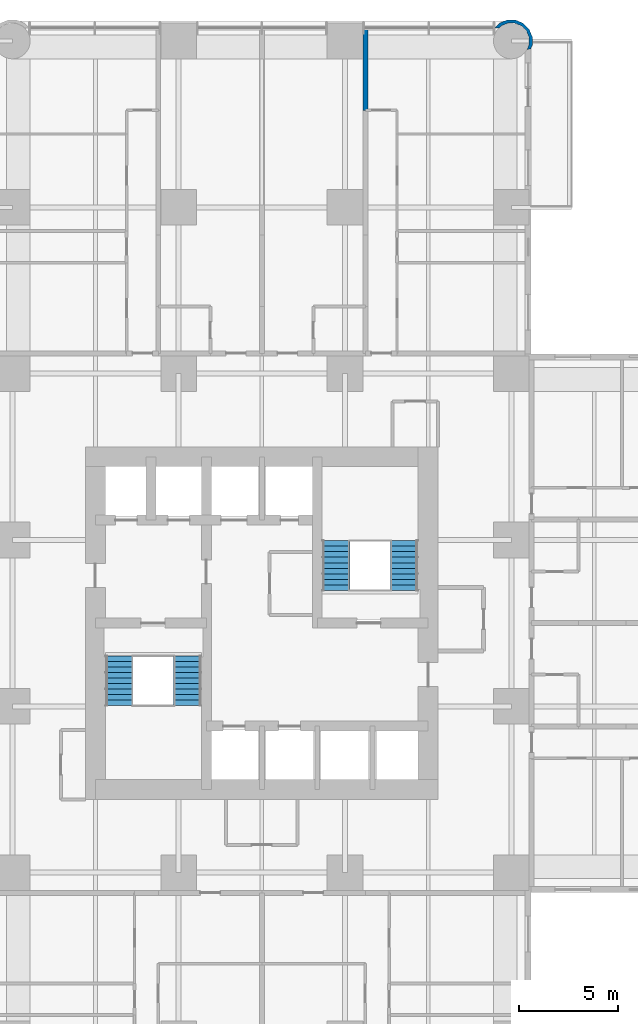
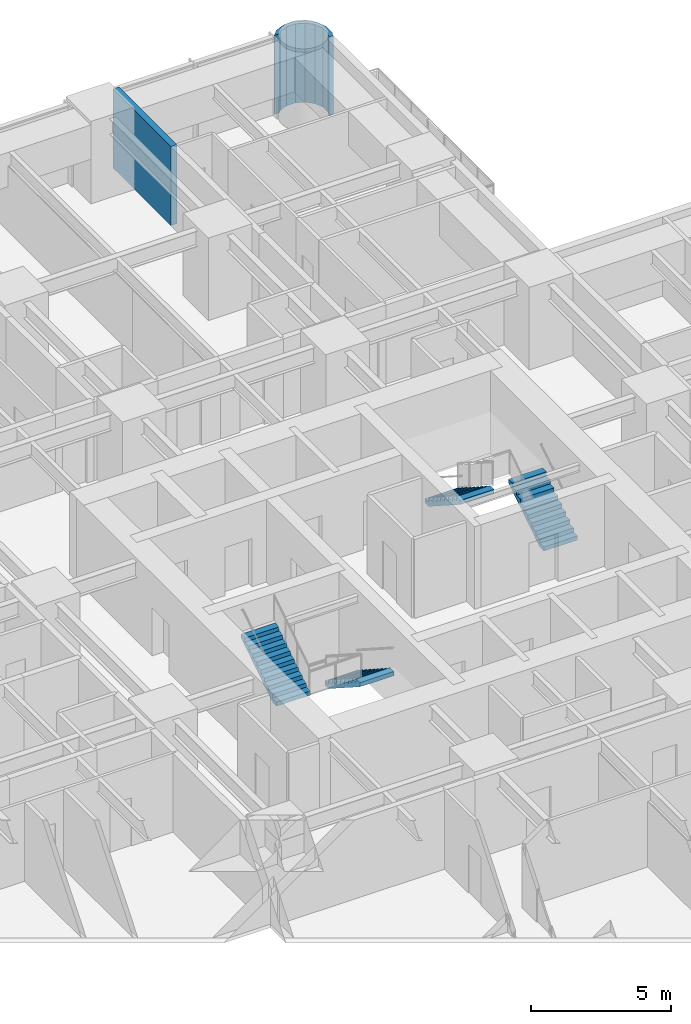
# One storey, part 15 of 17: 4 stair flights, 2 walls, 2 elements without a shape of their own.
"""IFC4 building model written with IfcOpenShell, lengths in metres."""

from ifc_helpers import new_model, si_unit, direction, frame, frame_2d, origin, place, context, subcontext, project, spatial, polyline, rectangle, outline, extrude, material, layer, layer_set, type_object, element, aggregate, save


model = new_model("IFC4")

# Units and contexts
model_context = context("Model", 3, precision=1e-05, world=origin(), true_north=direction((0.0, 1.0)))
body_context = subcontext(model_context, "Body", "Model", "MODEL_VIEW")
ifc_project = project(units=[si_unit("LENGTHUNIT", "METRE"), si_unit("AREAUNIT", "SQUARE_METRE"), si_unit("VOLUMEUNIT", "CUBIC_METRE"), si_unit("PLANEANGLEUNIT", "RADIAN"), si_unit("MASSUNIT", "GRAM", prefix="KILO")], contexts=[model_context])

# Site, building, storey
site_placement = place(None, origin())
site = spatial("IfcSite", under=ifc_project, at=site_placement, CompositionType="ELEMENT")
building_placement = place(site_placement, origin())
building = spatial("IfcBuilding", under=site, at=building_placement, Name="Torre Alcanfor", CompositionType="ELEMENT")
storey_placement = place(building_placement, frame((0.0, 0.0, 84.89990234375)))
storey = spatial("IfcBuildingStorey", under=building, at=storey_placement, Name="L21", CompositionType="ELEMENT", Elevation=84.89990234375)

# Walls
ifc_material_1 = material(Name="Concrete block masonry, hollow blocks NMX-C-404 9 MPa", Category="masonry")
ifc_layer_1 = layer(ifc_material_1, 0.25)
ifc_layer_set_1 = layer_set([ifc_layer_1], Name="Party wall 250 EI 60")
wall_type_1 = type_object("IfcWallType", Name="Party wall 250 EI 60", PredefinedType="PARTITIONING", material=ifc_layer_set_1)
wall_1_placement = place(storey_placement, frame((34.62890625, 59.449951171875, 0.0), z_axis=(0.0, 0.0, 1.0), x_axis=(0.0, -1.0, 0.0)))
element("IfcWall", 1, at=wall_1_placement, inside=storey, type_object=wall_type_1, Name="Partition L21-N2A-STUDIO / L21-N2B-LIVING", PredefinedType="PARTITIONING", context=body_context, shape_type="SweptSolid", body=[
    extrude(rectangle(XDim=4.14990234375, YDim=0.25, at=frame_2d((2.074951171875, 0.0))), origin(), (0.0, 0.0, 1.0), 3.4501953125),
])
ifc_material_2 = material(Name="Limestone cladding", Category="masonry")
ifc_layer_2 = layer(ifc_material_2, 0.0400390625, Name="Facing")
ifc_material_3 = material(Name="Ventilated air cavity")
ifc_layer_3 = layer(ifc_material_3, 0.02001953125, ventilated=True, Name="Ventilated joint")
ifc_material_4 = material(Name="Mineral wool insulation", Category="insulation")
ifc_layer_4 = layer(ifc_material_4, 0.10009765625, Name="Insulation")
ifc_material_5 = material(Name="Concrete f'c 35 MPa", Category="concrete")
ifc_layer_5 = layer(ifc_material_5, 0.139892578125, Name="Backing")
ifc_layer_set_2 = layer_set([ifc_layer_2, ifc_layer_3, ifc_layer_4, ifc_layer_5], Name="Rounded corner pier stone-clad 300")
wall_type_2 = type_object("IfcWallType", Name="Rounded corner pier stone-clad 300", PredefinedType="SOLIDWALL", material=ifc_layer_set_2)
wall_2_placement = place(storey_placement, frame((42.909907157, 58.436037137, 0.0), z_axis=(0.0, 0.0, 1.0), x_axis=(0.377204953059, 0.926129809145, 0.0)))
element("IfcWall", 2, at=wall_2_placement, inside=storey, type_object=wall_type_2, Name="Corner pier L21 19", PredefinedType="SOLIDWALL", context=body_context, shape_type="SweptSolid", body=[
    extrude(outline(polyline([(0.7691852559267269, 1.7275655888693722), (0.7500837815089341, 1.7226854696447296), (0.5995184426781746, 1.8748886632921522), (0.2945936606603473, 2.0035010026328943), (0.2810273060341947, 1.997975539453316), (0.36031770266114094, 1.803298350568026), (0.5085974876189833, 1.7408474269996308), (0.7606365681954048, 1.4857768783201941), (0.8958262339890831, 1.1538534018003268), (0.8937222712355792, 0.7952725095567933), (0.7546148492098406, 0.46498406151765126), (0.499678315387847, 0.21326317790465843), (0.16775483886797962, 0.07807351211098004), (-0.09987659960761772, 0.07952365190173498), (0.0005179574386563676, -0.09706789048462287), (0.030062934124933945, -0.08028941878374739), (0.19840443706273136, -0.08131937838229769), (0.5888893443854909, 0.07772187013655965), (0.888882191412798, 0.3741551975114527), (1.0524222412975957, 0.7628997957685094), (1.0551270334293679, 1.1847291059055145), (0.8961778759635035, 1.5749879073178383), (0.7777318237989179, 1.6949314401857838), (0.7691852559267269, 1.7275655888693722)])), origin(), (0.0, 0.0, 1.0), 3.4501953125),
])

# Stair, stair flights
ifc_material_6 = material(Name="Concrete f'c 35 MPa", Category="concrete")
stair_type_1 = type_object("IfcStairType", Name="Exit stair S1 1400 wide", PredefinedType="HALF_TURN_STAIR", material=ifc_material_6)
stair_1_placement = place(storey_placement, origin())
stair_1 = element("IfcStair", 3, at=stair_1_placement, inside=storey, type_object=stair_type_1, Name="Stair S1 L21 to L22", PredefinedType="HALF_TURN_STAIR")
ifc_material_7 = material(Name="Concrete f'c 35 MPa", Category="concrete")
stair_flight_type = type_object("IfcStairFlightType", Name="Stair flight 1400", PredefinedType="STRAIGHT", material=ifc_material_7)
stair_flight_1_placement = place(storey_placement, frame((25.64990234375, 27.75, 0.0), z_axis=(0.0, 0.0, 1.0), x_axis=(0.0, -1.0, 0.0)))
stair_flight_1 = element("IfcStairFlight", 4, at=stair_flight_1_placement, type_object=stair_flight_type, Name="S1 flight 1", NumberOfRisers=10, NumberOfTreads=9, PredefinedType="STRAIGHT", RiserHeight=0.18, TreadLength=0.28, context=body_context, shape_type="SweptSolid", body=[
    extrude(outline(polyline([(0.0, 0.0), (0.0, 0.179931640625), (0.280029296875, 0.179931640625), (0.280029296875, 0.360107421875), (0.56005859375, 0.360107421875), (0.56005859375, 0.5400390625), (0.840087890625, 0.5400390625), (0.840087890625, 0.719970703125), (1.1201171875, 0.719970703125), (1.1201171875, 0.89990234375), (1.39990234375, 0.89990234375), (1.39990234375, 1.080078125), (1.679931640625, 1.080078125), (1.679931640625, 1.260009765625), (1.9599609375, 1.260009765625), (1.9599609375, 1.43994140625), (2.239990234375, 1.43994140625), (2.239990234375, 1.6201171875), (2.52001953125, 1.6201171875), (2.52001953125, 1.800048828125), (2.52001953125, 1.44189453125), (0.277099609375, 0.0), (0.0, 0.0)])), frame((0.0, 0.699951171875, 0.0), z_axis=(0.0, -1.0, 0.0), x_axis=(1.0, 0.0, 0.0)), (0.0, 0.0, 1.0), 1.39990234375),
])
stair_flight_2_placement = place(storey_placement, frame((22.199951171875, 25.22998046875, 1.800048828125), z_axis=(0.0, 0.0, 1.0), x_axis=(0.0, 1.0, 0.0)))
stair_flight_2 = element("IfcStairFlight", 5, at=stair_flight_2_placement, type_object=stair_flight_type, Name="S1 flight 2", NumberOfRisers=10, NumberOfTreads=9, PredefinedType="STRAIGHT", RiserHeight=0.18, TreadLength=0.28, context=body_context, shape_type="SweptSolid", body=[
    extrude(outline(polyline([(0.0, 0.0), (0.0, 0.179931640625), (0.280029296875, 0.179931640625), (0.280029296875, 0.360107421875), (0.56005859375, 0.360107421875), (0.56005859375, 0.5400390625), (0.840087890625, 0.5400390625), (0.840087890625, 0.719970703125), (1.1201171875, 0.719970703125), (1.1201171875, 0.89990234375), (1.39990234375, 0.89990234375), (1.39990234375, 1.080078125), (1.679931640625, 1.080078125), (1.679931640625, 1.260009765625), (1.9599609375, 1.260009765625), (1.9599609375, 1.43994140625), (2.239990234375, 1.43994140625), (2.239990234375, 1.6201171875), (2.52001953125, 1.6201171875), (2.52001953125, 1.800048828125), (2.52001953125, 1.44189453125), (0.277099609375, 0.0), (0.0, 0.0)])), frame((0.0, 0.699951171875, 0.0), z_axis=(0.0, -1.0, 0.0), x_axis=(1.0, 0.0, 0.0)), (0.0, 0.0, 1.0), 1.39990234375),
])
aggregate(stair_1, [stair_flight_1, stair_flight_2])

ifc_material_8 = material(Name="Concrete f'c 35 MPa", Category="concrete")
stair_type_2 = type_object("IfcStairType", Name="Exit stair S2 1400 wide", PredefinedType="HALF_TURN_STAIR", material=ifc_material_8)
stair_2_placement = place(storey_placement, origin())
stair_2 = element("IfcStair", 6, at=stair_2_placement, inside=storey, type_object=stair_type_2, Name="Stair S2 L21 to L22", PredefinedType="HALF_TURN_STAIR")
stair_flight_3_placement = place(storey_placement, frame((36.60009765625, 31.050048828125, 0.0), z_axis=(0.0, 0.0, 1.0), x_axis=(0.0, 1.0, 0.0)))
stair_flight_3 = element("IfcStairFlight", 7, at=stair_flight_3_placement, type_object=stair_flight_type, Name="S2 flight 1", NumberOfRisers=10, NumberOfTreads=9, PredefinedType="STRAIGHT", RiserHeight=0.18, TreadLength=0.28, context=body_context, shape_type="SweptSolid", body=[
    extrude(outline(polyline([(0.0, 0.0), (0.0, 0.179931640625), (0.280029296875, 0.179931640625), (0.280029296875, 0.360107421875), (0.56005859375, 0.360107421875), (0.56005859375, 0.5400390625), (0.840087890625, 0.5400390625), (0.840087890625, 0.719970703125), (1.1201171875, 0.719970703125), (1.1201171875, 0.89990234375), (1.39990234375, 0.89990234375), (1.39990234375, 1.080078125), (1.679931640625, 1.080078125), (1.679931640625, 1.260009765625), (1.9599609375, 1.260009765625), (1.9599609375, 1.43994140625), (2.239990234375, 1.43994140625), (2.239990234375, 1.6201171875), (2.52001953125, 1.6201171875), (2.52001953125, 1.800048828125), (2.52001953125, 1.44189453125), (0.277099609375, 0.0), (0.0, 0.0)])), frame((0.0, 0.699951171875, 0.0), z_axis=(0.0, -1.0, 0.0), x_axis=(1.0, 0.0, 0.0)), (0.0, 0.0, 1.0), 1.39990234375),
])
stair_flight_4_placement = place(storey_placement, frame((33.14990234375, 33.570068359375, 1.800048828125), z_axis=(0.0, 0.0, 1.0), x_axis=(0.0, -1.0, 0.0)))
stair_flight_4 = element("IfcStairFlight", 8, at=stair_flight_4_placement, type_object=stair_flight_type, Name="S2 flight 2", NumberOfRisers=10, NumberOfTreads=9, PredefinedType="STRAIGHT", RiserHeight=0.18, TreadLength=0.28, context=body_context, shape_type="SweptSolid", body=[
    extrude(outline(polyline([(0.0, 0.0), (0.0, 0.179931640625), (0.280029296875, 0.179931640625), (0.280029296875, 0.360107421875), (0.56005859375, 0.360107421875), (0.56005859375, 0.5400390625), (0.840087890625, 0.5400390625), (0.840087890625, 0.719970703125), (1.1201171875, 0.719970703125), (1.1201171875, 0.89990234375), (1.39990234375, 0.89990234375), (1.39990234375, 1.080078125), (1.679931640625, 1.080078125), (1.679931640625, 1.260009765625), (1.9599609375, 1.260009765625), (1.9599609375, 1.43994140625), (2.239990234375, 1.43994140625), (2.239990234375, 1.6201171875), (2.52001953125, 1.6201171875), (2.52001953125, 1.800048828125), (2.52001953125, 1.44189453125), (0.277099609375, 0.0), (0.0, 0.0)])), frame((0.0, 0.699951171875, 0.0), z_axis=(0.0, -1.0, 0.0), x_axis=(1.0, 0.0, 0.0)), (0.0, 0.0, 1.0), 1.39990234375),
])
aggregate(stair_2, [stair_flight_3, stair_flight_4])

save(model, "model.ifc")
